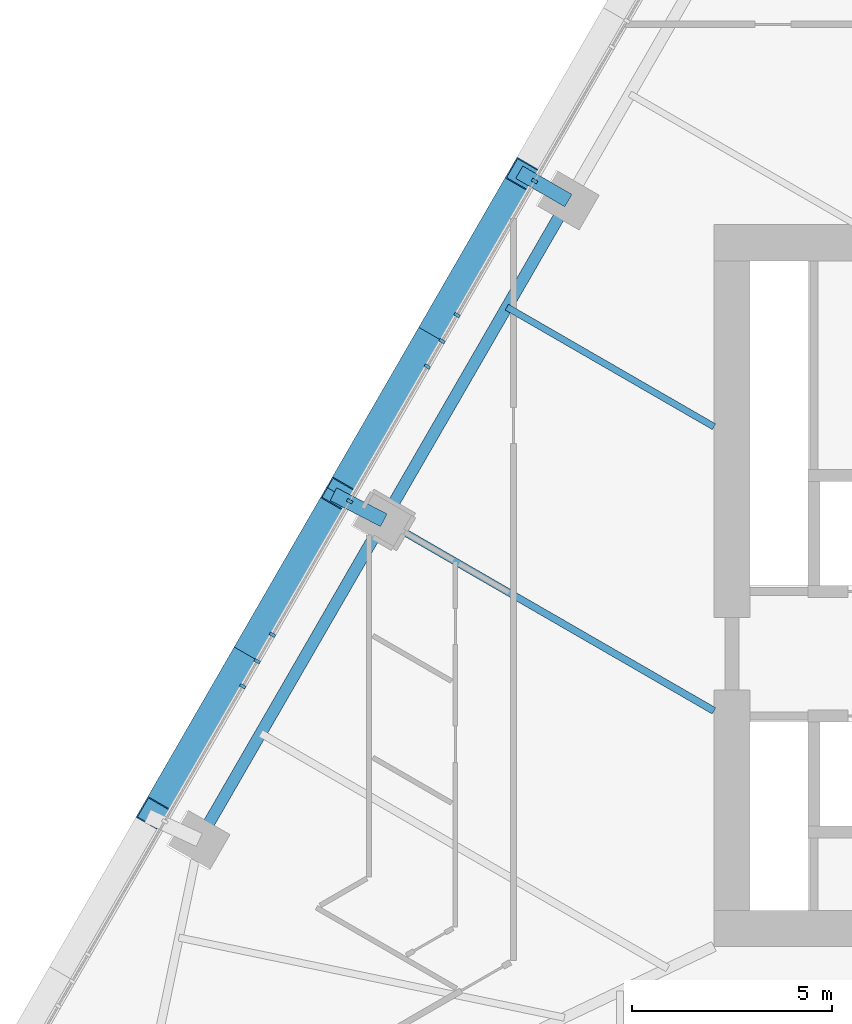
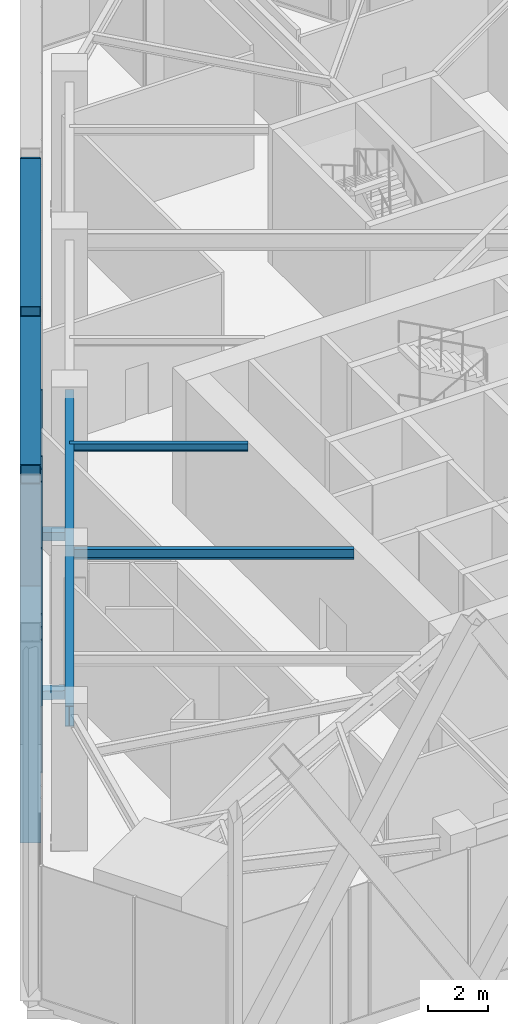
# One storey, part 4 of 21: 14 members, 3 beams, 1 element without a shape of its own.
"""IFC4 building model written with IfcOpenShell, lengths in metres."""

from ifc_helpers import new_model, si_unit, direction, frame, origin, origin_2d, place, context, subcontext, project, spatial, rectangle, hollow_rectangle, i_section, extrude, material, layer, layer_set, material_profile, profile_set, type_object, element, aggregate, save


model = new_model("IFC4")

# Units and contexts
model_context = context("Model", 3, precision=1e-05, world=origin(), true_north=direction((0.0, 1.0)))
body_context = subcontext(model_context, "Body", "Model", "MODEL_VIEW")
ifc_project = project(units=[si_unit("LENGTHUNIT", "METRE"), si_unit("AREAUNIT", "SQUARE_METRE"), si_unit("VOLUMEUNIT", "CUBIC_METRE"), si_unit("PLANEANGLEUNIT", "RADIAN"), si_unit("MASSUNIT", "GRAM", prefix="KILO")], contexts=[model_context])

# Site, building, storey
site_placement = place(None, origin())
site = spatial("IfcSite", under=ifc_project, at=site_placement, CompositionType="ELEMENT")
building_placement = place(site_placement, origin())
building = spatial("IfcBuilding", under=site, at=building_placement, Name="Firuza Gate Tower and Library", CompositionType="ELEMENT")
storey_placement = place(building_placement, frame((0.0, 0.0, 140.800048828125)))
storey = spatial("IfcBuildingStorey", under=building, at=storey_placement, Name="L32", CompositionType="ELEMENT", Elevation=140.800048828125)

# Members
ifc_material_1 = material(Name="Steel S355", Category="steel")
ifc_material_profile_1 = material_profile(ifc_material_1, hollow_rectangle(XDim=0.699951171875, YDim=0.699951171875, WallThickness=0.030029296875, at=origin_2d()))
ifc_profile_set_1 = profile_set([ifc_material_profile_1], Name="Steel S355")
member_type_1 = type_object("IfcMemberType", Name="BU700x700x30 Lattice brace", PredefinedType="BRACE", material=ifc_profile_set_1)
for number, where, z_axis, x_axis, name in (
    (1, (57.243408203125, 85.251708984375, 0.0), (-0.261549033997, -0.453018740507, 0.852271156126), (0.866026610508, -0.499997909888, 0.0), "Lattice brace W 7.4R"),
    (2, (52.64013671875, 77.278564453125, 0.0), (0.261549033997, 0.453018740507, 0.852271156126), (-0.866026610508, 0.499997909888, 0.0), "Lattice brace W 7.4L"),
    (3, (52.64013671875, 77.278564453125, 0.0), (-0.261560312922, -0.453028121538, 0.852262708206), (0.866021757479, -0.500006315534, 0.0), "Lattice brace W 7.5R"),
    (4, (48.03662109375, 69.30517578125, 0.0), (0.261560312922, 0.453028121538, 0.852262708206), (-0.866021757479, 0.500006315534, 0.0), "Lattice brace W 7.5L"),
):
    element("IfcMember", number, at=place(storey_placement, frame(where, z_axis=z_axis, x_axis=x_axis)), inside=storey, type_object=member_type_1, Name=name, PredefinedType="BRACE", context=body_context, shape_type="SweptSolid", body=[
        extrude(hollow_rectangle(XDim=0.699951171875, YDim=0.699951171875, WallThickness=0.030029296875, at=origin_2d()), origin(), (0.0, 0.0, 1.0), 17.60009765625),
    ])

# Curtain wall, members
ifc_material_2 = material(Name="Aluminium 6063-T6", Category="aluminium")
ifc_layer = layer(ifc_material_2, 0.14990234375)
ifc_layer_set = layer_set([ifc_layer], Name="Unitised curtain wall, offices")
curtain_wall_type = type_object("IfcCurtainWallType", Name="Unitised curtain wall, offices", PredefinedType="NOTDEFINED", material=ifc_layer_set)
curtain_wall_placement = place(storey_placement, origin())
curtain_wall = element("IfcCurtainWall", 5, at=curtain_wall_placement, inside=storey, type_object=curtain_wall_type, Name="CW1 L32 W face", PredefinedType="NOTDEFINED")
ifc_material_3 = material(Name="Aluminium 6063-T6", Category="aluminium")
ifc_material_profile_2 = material_profile(ifc_material_3, rectangle(XDim=0.14990234375, YDim=0.080078125, at=origin_2d()))
ifc_profile_set_2 = profile_set([ifc_material_profile_2], Name="Aluminium 6063-T6")
member_type_2 = type_object("IfcMemberType", Name="Curtain wall mullion 80x150", PredefinedType="MULLION", material=ifc_profile_set_2)
member_1_placement = place(storey_placement, frame((57.52490234375, 85.089111328125, 0.14990234375), z_axis=(0.0, 0.0, 1.0), x_axis=(0.866025403784, -0.5, 0.0)))
member_1 = element("IfcMember", 6, at=member_1_placement, type_object=member_type_2, Name="Mullion", PredefinedType="MULLION", context=body_context, shape_type="SweptSolid", body=[
    extrude(rectangle(XDim=0.14990234375, YDim=0.080078125, at=origin_2d()), origin(), (0.0, 0.0, 1.0), 5.400146484375),
])
member_2_placement = place(storey_placement, frame((55.2197265625, 81.096435546875, 0.14990234375), z_axis=(0.0, 0.0, 1.0), x_axis=(0.866025403784, -0.5, 0.0)))
member_2 = element("IfcMember", 7, at=member_2_placement, type_object=member_type_2, Name="Mullion", PredefinedType="MULLION", context=body_context, shape_type="SweptSolid", body=[
    extrude(rectangle(XDim=0.14990234375, YDim=0.080078125, at=origin_2d()), origin(), (0.0, 0.0, 1.0), 5.400146484375),
])
member_3_placement = place(storey_placement, frame((52.914306640625, 77.103515625, 0.14990234375), z_axis=(0.0, 0.0, 1.0), x_axis=(0.866025403784, -0.5, 0.0)))
member_3 = element("IfcMember", 8, at=member_3_placement, type_object=member_type_2, Name="Mullion", PredefinedType="MULLION", context=body_context, shape_type="SweptSolid", body=[
    extrude(rectangle(XDim=0.14990234375, YDim=0.080078125, at=origin_2d()), origin(), (0.0, 0.0, 1.0), 5.400146484375),
])
member_4_placement = place(storey_placement, frame((50.609130859375, 73.110595703125, 0.14990234375), z_axis=(0.0, 0.0, 1.0), x_axis=(0.866025403784, -0.5, 0.0)))
member_4 = element("IfcMember", 9, at=member_4_placement, type_object=member_type_2, Name="Mullion", PredefinedType="MULLION", context=body_context, shape_type="SweptSolid", body=[
    extrude(rectangle(XDim=0.14990234375, YDim=0.080078125, at=origin_2d()), origin(), (0.0, 0.0, 1.0), 5.400146484375),
])
member_5_placement = place(storey_placement, frame((55.59375, 81.744384765625, 0.14990234375), z_axis=(0.0, 0.0, 1.0), x_axis=(0.866025403784, -0.5, 0.0)))
member_5 = element("IfcMember", 10, at=member_5_placement, type_object=member_type_2, Name="Mullion", PredefinedType="MULLION", context=body_context, shape_type="SweptSolid", body=[
    extrude(rectangle(XDim=0.14990234375, YDim=0.080078125, at=origin_2d()), origin(), (0.0, 0.0, 1.0), 5.400146484375),
])
member_6_placement = place(storey_placement, frame((54.8525390625, 80.460693359375, 0.14990234375), z_axis=(0.0, 0.0, 1.0), x_axis=(0.866025403784, -0.5, 0.0)))
member_6 = element("IfcMember", 11, at=member_6_placement, type_object=member_type_2, Name="Mullion", PredefinedType="MULLION", context=body_context, shape_type="SweptSolid", body=[
    extrude(rectangle(XDim=0.14990234375, YDim=0.080078125, at=origin_2d()), origin(), (0.0, 0.0, 1.0), 5.400146484375),
])
member_7_placement = place(storey_placement, frame((50.990478515625, 73.771240234375, 0.14990234375), z_axis=(0.0, 0.0, 1.0), x_axis=(0.866025403784, -0.5, 0.0)))
member_7 = element("IfcMember", 12, at=member_7_placement, type_object=member_type_2, Name="Mullion", PredefinedType="MULLION", context=body_context, shape_type="SweptSolid", body=[
    extrude(rectangle(XDim=0.14990234375, YDim=0.080078125, at=origin_2d()), origin(), (0.0, 0.0, 1.0), 5.400146484375),
])
member_8_placement = place(storey_placement, frame((50.249267578125, 72.4873046875, 0.14990234375), z_axis=(0.0, 0.0, 1.0), x_axis=(0.866025403784, -0.5, 0.0)))
member_8 = element("IfcMember", 13, at=member_8_placement, type_object=member_type_2, Name="Mullion", PredefinedType="MULLION", context=body_context, shape_type="SweptSolid", body=[
    extrude(rectangle(XDim=0.14990234375, YDim=0.080078125, at=origin_2d()), origin(), (0.0, 0.0, 1.0), 5.400146484375),
])
aggregate(curtain_wall, [member_1, member_2, member_3, member_4, member_5, member_6, member_7, member_8])

# Members
ifc_material_4 = material(Name="Steel S355", Category="steel")
ifc_material_profile_3 = material_profile(ifc_material_4, hollow_rectangle(XDim=0.355712890625, YDim=0.355712890625, WallThickness=0.014892578125, at=origin_2d()))
ifc_profile_set_3 = profile_set([ifc_material_profile_3], Name="Steel S355")
member_type_3 = type_object("IfcMemberType", Name="HSS356x356x16 Lattice node tie", PredefinedType="BRACE", material=ifc_profile_set_3)
member_9_placement = place(storey_placement, frame((53.765869140625, 76.62841796875, -0.320068359375), z_axis=(-0.888200648195, 0.459455774309, 0.0), x_axis=(-0.459455774309, -0.888200648195, 0.0)))
element("IfcMember", 14, at=member_9_placement, inside=storey, type_object=member_type_3, Name="Lattice node tie W L32 143", PredefinedType="BRACE", context=body_context, shape_type="SweptSolid", body=[
    extrude(hollow_rectangle(XDim=0.355712890625, YDim=0.355712890625, WallThickness=0.014892578125, at=origin_2d()), origin(), (0.0, 0.0, 1.0), 1.4150390625),
])
member_10_placement = place(storey_placement, frame((58.369384765625, 84.601806640625, -0.320068359375), z_axis=(-0.866013007135, 0.500021471012, 0.0), x_axis=(-0.500021471012, -0.866013007135, 0.0)))
element("IfcMember", 15, at=member_10_placement, inside=storey, type_object=member_type_3, Name="Lattice node tie W L32 144", PredefinedType="BRACE", context=body_context, shape_type="SweptSolid", body=[
    extrude(hollow_rectangle(XDim=0.355712890625, YDim=0.355712890625, WallThickness=0.014892578125, at=origin_2d()), origin(), (0.0, 0.0, 1.0), 1.41357421875),
])

# Beams
ifc_material_5 = material(Name="Steel S355", Category="steel")
ifc_material_profile_4 = material_profile(ifc_material_5, i_section(OverallWidth=0.1650390625, OverallDepth=0.31005859375, WebThickness=0.005859375, FlangeThickness=0.009765625, at=origin_2d()))
ifc_profile_set_4 = profile_set([ifc_material_profile_4], Name="Steel S355")
beam_type_1 = type_object("IfcBeamType", Name="W310x39 Floor beam", PredefinedType="JOIST", material=ifc_profile_set_4)
beam_1_placement = place(storey_placement, frame((56.8349609375, 81.944091796875, 5.39501953125), z_axis=(0.866015163632, -0.500017736045, 0.0), x_axis=(0.500017736045, 0.866015163632, 0.0)))
element("IfcBeam", 16, at=beam_1_placement, inside=storey, type_object=beam_type_1, Name="Floor beam L32 s83", PredefinedType="JOIST", context=body_context, shape_type="SweptSolid", body=[
    extrude(i_section(OverallWidth=0.1650390625, OverallDepth=0.31005859375, WebThickness=0.005859375, FlangeThickness=0.009765625, at=origin_2d()), origin(), (0.0, 0.0, 1.0), 5.964111328125),
])
ifc_material_6 = material(Name="Steel S355", Category="steel")
ifc_material_profile_5 = material_profile(ifc_material_6, i_section(OverallWidth=0.177978515625, OverallDepth=0.406982421875, WebThickness=0.0078125, FlangeThickness=0.0126953125, at=origin_2d()))
ifc_profile_set_5 = profile_set([ifc_material_profile_5], Name="Steel S355")
beam_type_2 = type_object("IfcBeamType", Name="W410x60 Floor beam", PredefinedType="JOIST", material=ifc_profile_set_5)
beam_2_placement = place(storey_placement, frame((53.765869140625, 76.62841796875, 5.346435546875), z_axis=(0.866028656317, -0.499994366407, 0.0), x_axis=(0.499994366407, 0.866028656317, 0.0)))
element("IfcBeam", 17, at=beam_2_placement, inside=storey, type_object=beam_type_2, Name="Floor beam L32 s84", PredefinedType="JOIST", context=body_context, shape_type="SweptSolid", body=[
    extrude(i_section(OverallWidth=0.177978515625, OverallDepth=0.406982421875, WebThickness=0.0078125, FlangeThickness=0.0126953125, at=origin_2d()), origin(), (0.0, 0.0, 1.0), 9.5078125),
])
ifc_material_7 = material(Name="Steel S355", Category="steel")
ifc_material_profile_6 = material_profile(ifc_material_7, i_section(OverallWidth=0.2919921875, OverallDepth=0.8349609375, WebThickness=0.013916015625, FlangeThickness=0.018798828125, at=origin_2d()))
ifc_profile_set_6 = profile_set([ifc_material_profile_6], Name="Steel S355")
beam_type_3 = type_object("IfcBeamType", Name="W840x176 Edge beam", PredefinedType="SPANDREL", material=ifc_profile_set_6)
beam_3_placement = place(storey_placement, frame((58.369384765625, 84.601806640625, 5.132568359375), z_axis=(-0.500002112793, -0.866024183959, 0.0), x_axis=(0.866024183959, -0.500002112793, 0.0)))
element("IfcBeam", 18, at=beam_3_placement, inside=storey, type_object=beam_type_3, Name="Edge beam L32 e82", PredefinedType="SPANDREL", context=body_context, shape_type="SweptSolid", body=[
    extrude(i_section(OverallWidth=0.2919921875, OverallDepth=0.8349609375, WebThickness=0.013916015625, FlangeThickness=0.018798828125, at=origin_2d()), origin(), (0.0, 0.0, 1.0), 18.41357421875),
])

save(model, "model.ifc")
